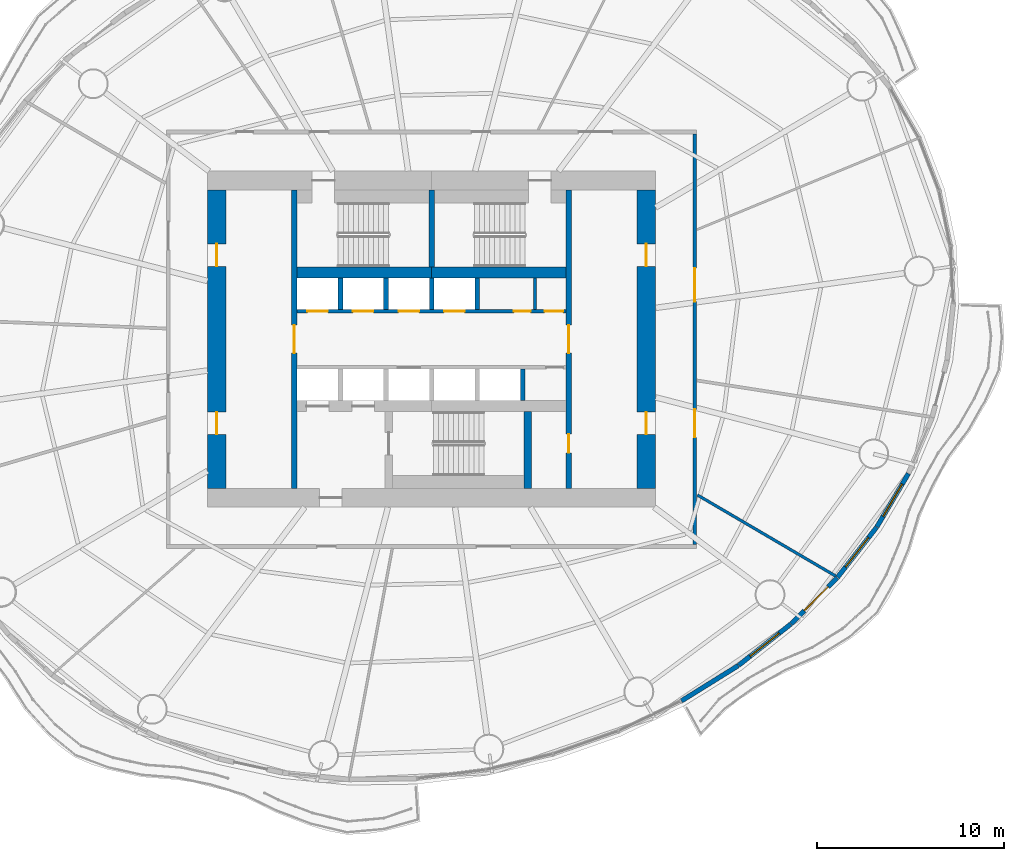
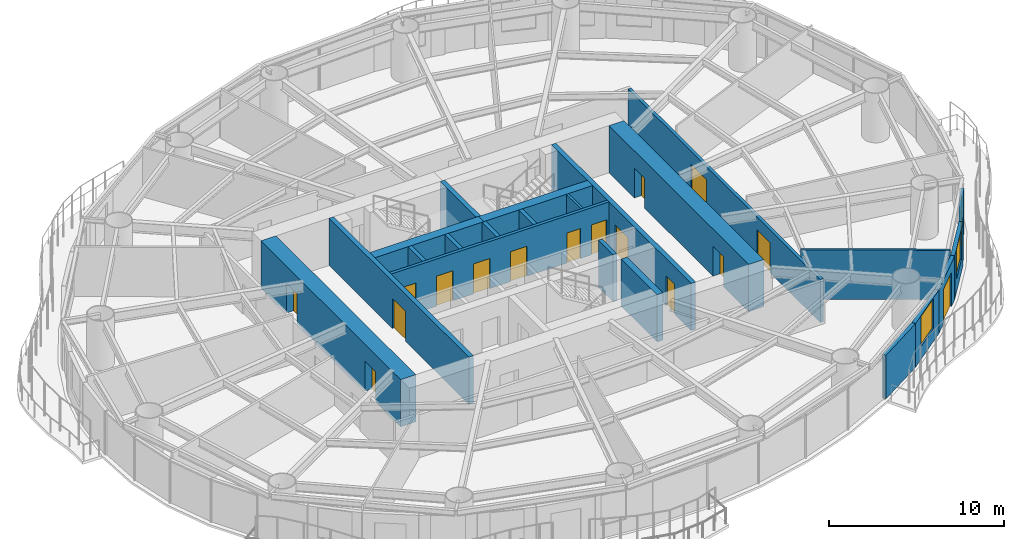
# One storey, part 8 of 16: 22 walls, 16 doors, 3 windows, 19 openings.
"""IFC4 building model written with IfcOpenShell, lengths in metres."""

import ifcopenshell
import ifcopenshell.guid

model = None  # the IFC model being written
_history = None  # IfcOwnerHistory: only IFC2X3 demands one
_inside = {}  # id of a spatial element -> (the spatial element, [elements in it])
_under = {}  # id of a project, library or spatial element -> (it, [spatial elements below it])
_declared = {}  # id of a project -> (the project, [libraries it declares])
_typed = {}  # id of a type object -> (the type object, [elements of that type])
_made_of = {}  # id of a material, layer set ... -> (it, [elements and type objects made of it])


def new_model(schema):
    """Start an empty IFC model of exactly this schema.

    Asked for "IFC4X3", IfcOpenShell would pick the latest addendum, in which some entities
    have other attributes; the version numbers below select the first issue.
    IFC2X3 requires an IfcOwnerHistory on every rooted entity: one is made here for all.
    """
    global model, _history
    if schema == "IFC4X3":
        model = ifcopenshell.file(schema_version=(4, 3, 0, 0))
    else:
        model = ifcopenshell.file(schema=schema)
    _inside.clear()
    _under.clear()
    _declared.clear()
    _typed.clear()
    _made_of.clear()
    _history = None
    if model.schema == "IFC2X3":
        org = make("IfcOrganization", Name="unknown")
        user = make(
            "IfcPersonAndOrganization",
            ThePerson=make("IfcPerson", FamilyName="unknown"),
            TheOrganization=org,
        )
        app = make(
            "IfcApplication",
            ApplicationDeveloper=org,
            Version="unknown",
            ApplicationFullName="unknown",
            ApplicationIdentifier="unknown",
        )
        _history = make(
            "IfcOwnerHistory",
            OwningUser=user,
            OwningApplication=app,
            ChangeAction="ADDED",
            CreationDate=0,
        )
    return model


def make(cls, **values):
    """One entity of the class cls with the attributes given. An attribute that is None is left unset."""
    return model.create_entity(
        cls, **{name: value for name, value in values.items() if value is not None}
    )


def rooted(cls, **values):
    """An entity with a GlobalId (a new one), such as an element, a storey or a relation."""
    return make(cls, GlobalId=ifcopenshell.guid.new(), OwnerHistory=_history, **values)


def si_unit(unit_type, name, prefix=None):
    """IfcSIUnit, for example si_unit("LENGTHUNIT", "METRE", prefix="MILLI")."""
    return make("IfcSIUnit", UnitType=unit_type, Prefix=prefix, Name=name)


def assignment(units):
    """IfcUnitAssignment: the units of a project."""
    return None if units is None else make("IfcUnitAssignment", Units=units)


def point(xyz):
    """IfcCartesianPoint."""
    return None if xyz is None else make("IfcCartesianPoint", Coordinates=xyz)


def direction(xyz):
    """IfcDirection."""
    return None if xyz is None else make("IfcDirection", DirectionRatios=xyz)


def frame(location, z_axis=None, x_axis=None):
    """IfcAxis2Placement3D, a coordinate frame: its origin and axes. An axis left out is left unset."""
    return make(
        "IfcAxis2Placement3D",
        Location=point(location),
        Axis=direction(z_axis),
        RefDirection=direction(x_axis),
    )


def frame_2d(location, x_axis=None):
    """IfcAxis2Placement2D, a coordinate frame in the plane: its origin and x axis."""
    return make(
        "IfcAxis2Placement2D", Location=point(location), RefDirection=direction(x_axis)
    )


def origin():
    """The frame at (0, 0, 0) with its axes left unset."""
    return frame((0.0, 0.0, 0.0))


def place(relative_to, where):
    """IfcLocalPlacement: puts the frame where relative to a parent placement (None: the world)."""
    return make(
        "IfcLocalPlacement", PlacementRelTo=relative_to, RelativePlacement=where
    )


def context(
    kind, dimensions, precision=None, world=None, true_north=None, identifier=None
):
    """IfcGeometricRepresentationContext, for example the 3D "Model" context."""
    return make(
        "IfcGeometricRepresentationContext",
        ContextIdentifier=identifier,
        ContextType=kind,
        CoordinateSpaceDimension=dimensions,
        Precision=precision,
        WorldCoordinateSystem=world,
        TrueNorth=true_north,
    )


def subcontext(parent, identifier, kind, view, scale=None):
    """IfcGeometricRepresentationSubContext, for example "Body" below "Model"."""
    return make(
        "IfcGeometricRepresentationSubContext",
        ContextIdentifier=identifier,
        ContextType=kind,
        ParentContext=parent,
        TargetScale=scale,
        TargetView=view,
    )


def project(units=None, contexts=None):
    """IfcProject with its units and contexts."""
    return rooted(
        "IfcProject",
        Name="project",
        RepresentationContexts=contexts,
        UnitsInContext=assignment(units),
    )


def spatial(cls, under=None, at=None, **own):
    """A site, building, storey or space (cls), placed at a placement, below another one or the project."""
    s = rooted(cls, ObjectPlacement=at, **own)
    if under is not None:
        _under.setdefault(under.id(), (under, []))[1].append(s)
    return s


def profile(cls, at=None, kind="AREA", **sizes):
    """A parametric profile (cls). Its sizes go by their IFC names, for example OverallWidth=200.0."""
    return make(cls, ProfileType=kind, Position=at, **sizes)


def rectangle(**sizes):
    """IfcRectangleProfileDef."""
    return profile("IfcRectangleProfileDef", **sizes)


def extrude(swept, where, along, depth):
    """IfcExtrudedAreaSolid: the profile swept, set in the frame where, extruded along a direction by depth."""
    return make(
        "IfcExtrudedAreaSolid",
        SweptArea=swept,
        Position=where,
        ExtrudedDirection=direction(along),
        Depth=depth,
    )


def shape(context_of_items, identifier, shape_type, items):
    """IfcShapeRepresentation: the items that make up one representation, for example the "Body"."""
    return make(
        "IfcShapeRepresentation",
        ContextOfItems=context_of_items,
        RepresentationIdentifier=identifier,
        RepresentationType=shape_type,
        Items=items,
    )


def material(Name=None, Category=None):
    """IfcMaterial."""
    return make("IfcMaterial", Name=Name, Category=Category)


def layer(
    of_material, thickness, ventilated=None, Name=None, Category=None, Priority=None
):
    """IfcMaterialLayer: one layer of a wall or slab, of a material (None: an air gap)."""
    return make(
        "IfcMaterialLayer",
        Material=of_material,
        LayerThickness=thickness,
        IsVentilated=ventilated,
        Name=Name,
        Category=Category,
        Priority=Priority,
    )


def layer_set(layers, Name=None):
    """IfcMaterialLayerSet."""
    return make("IfcMaterialLayerSet", MaterialLayers=layers, LayerSetName=Name)


def made_of(thing, what):
    """Note that an element or type object is made of a material, layer set ...; save() writes the relation."""
    if what is not None:
        _made_of.setdefault(what.id(), (what, []))[1].append(thing)
    return thing


def type_object(cls, material=None, **own):
    """A type object (cls), such as IfcWallType, which elements share."""
    return made_of(rooted(cls, **own), material)


def element(
    cls,
    number,
    at=None,
    inside=None,
    cuts=None,
    type_object=None,
    material=None,
    context=None,
    identifier="Body",
    shape_type=None,
    held_by="IfcProductDefinitionShape",
    body=None,
    shapes=None,
    **own,
):
    """One element of the class cls, such as IfcWall. Its Tag is "e" and its number.

    at: its placement. inside: the storey or other place that contains it. cuts: it is an
    opening in that element (IfcRelVoidsElement). A single representation is given by context,
    identifier, shape_type and body (its items); several are given by shapes. held_by: the class
    of the entity that holds the representations. save() writes the other relations.
    """
    e = rooted(cls, Tag="e%d" % number, ObjectPlacement=at, **own)
    if body is not None:
        shapes = [shape(context, identifier, shape_type, body)]
    if shapes is not None:
        e.Representation = make(held_by, Representations=shapes)
    if inside is not None:
        _inside.setdefault(inside.id(), (inside, []))[1].append(e)
    if cuts is not None:
        rooted(
            "IfcRelVoidsElement", RelatingBuildingElement=cuts, RelatedOpeningElement=e
        )
    if type_object is not None:
        _typed.setdefault(type_object.id(), (type_object, []))[1].append(e)
    return made_of(e, material)


def fill(opening, filler):
    """IfcRelFillsElement: the door or window that sits in an opening."""
    return rooted(
        "IfcRelFillsElement",
        RelatingOpeningElement=opening,
        RelatedBuildingElement=filler,
    )


def aggregate(whole, parts):
    """IfcRelAggregates: a whole, such as a stair, and the parts it consists of."""
    return rooted("IfcRelAggregates", RelatingObject=whole, RelatedObjects=parts)


def save(model, path):
    """Write the relations noted so far, then the file.

    IfcRelAggregates (storeys below a building ...), IfcRelContainedInSpatialStructure (elements
    in a storey), IfcRelDefinesByType, IfcRelAssociatesMaterial and IfcRelDeclares: one each for
    every whole, place, type object, material and project.
    """
    for whole, parts in _under.values():
        aggregate(whole, parts)
    for where, things in _inside.values():
        rooted(
            "IfcRelContainedInSpatialStructure",
            RelatedElements=things,
            RelatingStructure=where,
        )
    for kind, things in _typed.values():
        rooted("IfcRelDefinesByType", RelatedObjects=things, RelatingType=kind)
    for what, things in _made_of.values():
        rooted("IfcRelAssociatesMaterial", RelatedObjects=things, RelatingMaterial=what)
    for by, libraries in _declared.values():
        rooted("IfcRelDeclares", RelatingContext=by, RelatedDefinitions=libraries)
    model.write(path)


model = new_model("IFC4")

# Units and contexts
model_context = context("Model", 3, precision=1e-05, world=origin(), true_north=direction((0.0, 1.0)))
body_context = subcontext(model_context, "Body", "Model", "MODEL_VIEW")
ifc_project = project(units=[si_unit("LENGTHUNIT", "METRE"), si_unit("AREAUNIT", "SQUARE_METRE"), si_unit("VOLUMEUNIT", "CUBIC_METRE"), si_unit("PLANEANGLEUNIT", "RADIAN"), si_unit("MASSUNIT", "GRAM", prefix="KILO")], contexts=[model_context])

# Site, building, storey
site_placement = place(None, origin())
site = spatial("IfcSite", under=ifc_project, at=site_placement, CompositionType="ELEMENT")
building_placement = place(site_placement, origin())
building = spatial("IfcBuilding", under=site, at=building_placement, Name="Vermilion Reach Broadcast Tower", CompositionType="ELEMENT")
storey_placement = place(building_placement, frame((0.0, 0.0, 99.39990234375)))
storey = spatial("IfcBuildingStorey", under=building, at=storey_placement, Name="L22", CompositionType="ELEMENT", Elevation=99.39990234375)

# Wall, opening, door
ifc_material_1 = material(Name="Concrete C70", Category="concrete")
ifc_layer_1 = layer(ifc_material_1, 0.300048828125)
ifc_layer_set_1 = layer_set([ifc_layer_1], Name="Core inner wall 300 mm Concrete C70")
wall_type_1 = type_object("IfcWallType", Name="Core inner wall 300 mm Concrete C70", PredefinedType="SHEAR", material=ifc_layer_set_1)
wall_1_placement = place(storey_placement, frame((-13.35009765625, 8.0, 0.0), z_axis=(0.0, 0.0, 1.0), x_axis=(0.0, -1.0, 0.0)))
wall_1 = element("IfcWall", 1, at=wall_1_placement, inside=storey, type_object=wall_type_1, Name="L22 core wall ewW", PredefinedType="SHEAR", context=body_context, shape_type="SweptSolid", body=[
    extrude(rectangle(XDim=16.0, YDim=0.300048828125, at=frame_2d((8.0, 0.0))), origin(), (0.0, 0.0, 1.0), 3.300048828125),
])
opening_1_placement = place(wall_1_placement, frame((7.25, 0.0, 0.0)))
opening_1 = element("IfcOpeningElement", 2, at=opening_1_placement, cuts=wall_1, Name="Opening D04", PredefinedType="OPENING", context=body_context, shape_type="SweptSolid", body=[
    extrude(rectangle(XDim=1.5, YDim=2.10009765625, at=frame_2d((0.75, 1.050048828125))), frame((0.0, 0.159912109375, 0.0), z_axis=(0.0, -1.0, 0.0), x_axis=(1.0, 0.0, 0.0)), (0.0, 0.0, 1.0), 0.320068359375),
])
ifc_material_2 = material(Name="Painted steel fire door", Category="steel")
door_type_1 = type_object("IfcDoorType", Name="Lift lobby door 1500 x 2100", OperationType="DOUBLE_DOOR_SINGLE_SWING", PredefinedType="NOTDEFINED", material=ifc_material_2)
door_1_placement = place(opening_1_placement, origin())
door_1 = element("IfcDoor", 3, at=door_1_placement, inside=storey, type_object=door_type_1, Name="L22 band door BW", OperationType="DOUBLE_DOOR_SINGLE_SWING", OverallHeight=2.10009765625, OverallWidth=1.5, PredefinedType="NOTDEFINED", context=body_context, shape_type="SweptSolid", body=[
    extrude(rectangle(XDim=1.5, YDim=2.10009765625, at=frame_2d((0.75, 1.050048828125))), frame((0.0, 0.02490234375, 0.0), z_axis=(0.0, -1.0, 0.0), x_axis=(1.0, 0.0, 0.0)), (0.0, 0.0, 1.0), 0.050048828125),
])
fill(opening_1, door_1)

# Wall, openings, doors
wall_2_placement = place(storey_placement, frame((1.35009765625, -8.0, 0.0), z_axis=(0.0, 0.0, 1.0), x_axis=(0.0, 1.0, 0.0)))
wall_2 = element("IfcWall", 4, at=wall_2_placement, inside=storey, type_object=wall_type_1, Name="L22 core wall ewE", PredefinedType="SHEAR", context=body_context, shape_type="SweptSolid", body=[
    extrude(rectangle(XDim=16.0, YDim=0.300048828125, at=frame_2d((8.0, 0.0))), origin(), (0.0, 0.0, 1.0), 3.300048828125),
])
opening_2_placement = place(wall_2_placement, frame((1.909912109375, 0.0, 0.0)))
opening_2 = element("IfcOpeningElement", 5, at=opening_2_placement, cuts=wall_2, Name="Opening D05", PredefinedType="OPENING", context=body_context, shape_type="SweptSolid", body=[
    extrude(rectangle(XDim=1.0, YDim=2.10009765625, at=frame_2d((0.5, 1.050048828125))), frame((0.0, 0.159912109375, 0.0), z_axis=(0.0, -1.0, 0.0), x_axis=(1.0, 0.0, 0.0)), (0.0, 0.0, 1.0), 0.320068359375),
])
opening_3_placement = place(wall_2_placement, frame((7.25, 0.0, 0.0)))
opening_3 = element("IfcOpeningElement", 6, at=opening_3_placement, cuts=wall_2, Name="Opening D04", PredefinedType="OPENING", context=body_context, shape_type="SweptSolid", body=[
    extrude(rectangle(XDim=1.5, YDim=2.10009765625, at=frame_2d((0.75, 1.050048828125))), frame((0.0, 0.159912109375, 0.0), z_axis=(0.0, -1.0, 0.0), x_axis=(1.0, 0.0, 0.0)), (0.0, 0.0, 1.0), 0.320068359375),
])
door_2_placement = place(opening_3_placement, origin())
door_2 = element("IfcDoor", 7, at=door_2_placement, inside=storey, type_object=door_type_1, Name="L22 band door BE", OperationType="DOUBLE_DOOR_SINGLE_SWING", OverallHeight=2.10009765625, OverallWidth=1.5, PredefinedType="NOTDEFINED", context=body_context, shape_type="SweptSolid", body=[
    extrude(rectangle(XDim=1.5, YDim=2.10009765625, at=frame_2d((0.75, 1.050048828125))), frame((0.0, 0.02490234375, 0.0), z_axis=(0.0, -1.0, 0.0), x_axis=(1.0, 0.0, 0.0)), (0.0, 0.0, 1.0), 0.050048828125),
])
fill(opening_3, door_2)
ifc_material_3 = material(Name="Timber door", Category="wood")
door_type_2 = type_object("IfcDoorType", Name="Room door 1000 x 2100", OperationType="NOTDEFINED", PredefinedType="NOTDEFINED", material=ifc_material_3)
door_3_placement = place(opening_2_placement, origin())
door_3 = element("IfcDoor", 8, at=door_3_placement, inside=storey, type_object=door_type_2, Name="L22 door SER", OperationType="SINGLE_SWING_LEFT", OverallHeight=2.10009765625, OverallWidth=1.0, PredefinedType="NOTDEFINED", context=body_context, shape_type="SweptSolid", body=[
    extrude(rectangle(XDim=1.0, YDim=2.10009765625, at=frame_2d((0.5, 1.050048828125))), frame((0.0, 0.02490234375, 0.0), z_axis=(0.0, -1.0, 0.0), x_axis=(1.0, 0.0, 0.0)), (0.0, 0.0, 1.0), 0.050048828125),
])
fill(opening_2, door_3)

# Walls
wall_3_placement = place(storey_placement, frame((-6.0, 3.8798828125, 0.0), z_axis=(0.0, 0.0, 1.0), x_axis=(0.0, 1.0, 0.0)))
element("IfcWall", 9, at=wall_3_placement, inside=storey, type_object=wall_type_1, Name="L22 core wall wc", PredefinedType="SHEAR", context=body_context, shape_type="SweptSolid", body=[
    extrude(rectangle(XDim=4.1201171875, YDim=0.300048828125, at=frame_2d((2.06005859375, 0.0))), origin(), (0.0, 0.0, 1.0), 3.300048828125),
])
ifc_material_4 = material(Name="Concrete C70", Category="concrete")
ifc_layer_2 = layer(ifc_material_4, 0.39990234375)
ifc_layer_set_2 = layer_set([ifc_layer_2], Name="Core inner wall 400 mm Concrete C70")
wall_type_2 = type_object("IfcWallType", Name="Core inner wall 400 mm Concrete C70", PredefinedType="SHEAR", material=ifc_layer_set_2)
wall_4_placement = place(storey_placement, frame((-0.85009765625, -3.8798828125, 0.0), z_axis=(0.0, 0.0, 1.0), x_axis=(0.0, -1.0, 0.0)))
element("IfcWall", 10, at=wall_4_placement, inside=storey, type_object=wall_type_2, Name="L22 core wall wb", PredefinedType="SHEAR", context=body_context, shape_type="SweptSolid", body=[
    extrude(rectangle(XDim=4.1201171875, YDim=0.39990234375, at=frame_2d((2.06005859375, 0.0))), origin(), (0.0, 0.0, 1.0), 3.300048828125),
])
ifc_material_5 = material(Name="Concrete C70", Category="concrete")
ifc_layer_3 = layer(ifc_material_5, 0.60009765625)
ifc_layer_set_3 = layer_set([ifc_layer_3], Name="Core inner wall 600 mm Concrete C70")
wall_type_3 = type_object("IfcWallType", Name="Core inner wall 600 mm Concrete C70", PredefinedType="SHEAR", material=ifc_layer_set_3)
for number, where, z_axis, x_axis, name in (
    (11, (-13.199951171875, 3.580078125, 0.0), (0.0, 0.0, 1.0), (1.0, 0.0, 0.0), "L22 core wall winW"),
    (12, (-6.0, 3.580078125, 0.0), (0.0, 0.0, 1.0), (1.0, 0.0, 0.0), "L22 core wall winE"),
):
    element("IfcWall", number, at=place(storey_placement, frame(where, z_axis=z_axis, x_axis=x_axis)), inside=storey, type_object=wall_type_3, Name=name, PredefinedType="SHEAR", context=body_context, shape_type="SweptSolid", body=[
        extrude(rectangle(XDim=7.199951171875, YDim=0.60009765625, at=frame_2d((3.60009765625, 0.0))), origin(), (0.0, 0.0, 1.0), 3.300048828125),
    ])

# Wall, openings, doors
ifc_material_6 = material(Name="Concrete C70", Category="concrete")
ifc_layer_4 = layer(ifc_material_6, 1.0)
ifc_layer_set_4 = layer_set([ifc_layer_4], Name="Core outer wall 1000 mm Concrete C70")
wall_type_4 = type_object("IfcWallType", Name="Core outer wall 1000 mm Concrete C70", PredefinedType="SHEAR", material=ifc_layer_set_4)
wall_5_placement = place(storey_placement, frame((-17.5, 8.0, 0.0), z_axis=(0.0, 0.0, 1.0), x_axis=(0.0, -1.0, 0.0)))
wall_5 = element("IfcWall", 13, at=wall_5_placement, inside=storey, type_object=wall_type_4, Name="L22 core wall ow", PredefinedType="SHEAR", context=body_context, shape_type="SweptSolid", body=[
    extrude(rectangle(XDim=16.0, YDim=1.0, at=frame_2d((8.0, 0.0))), origin(), (0.0, 0.0, 1.0), 3.300048828125),
])
opening_4_placement = place(wall_5_placement, frame((11.89990234375, 0.0, 0.0)))
opening_4 = element("IfcOpeningElement", 14, at=opening_4_placement, cuts=wall_5, Name="Opening D03", PredefinedType="OPENING", context=body_context, shape_type="SweptSolid", body=[
    extrude(rectangle(XDim=1.199951171875, YDim=2.10009765625, at=frame_2d((0.60009765625, 1.050048828125))), frame((0.0, 0.510009765625, 0.0), z_axis=(0.0, -1.0, 0.0), x_axis=(1.0, 0.0, 0.0)), (0.0, 0.0, 1.0), 1.02001953125),
])
opening_5_placement = place(wall_5_placement, frame((2.89990234375, 0.0, 0.0)))
opening_5 = element("IfcOpeningElement", 15, at=opening_5_placement, cuts=wall_5, Name="Opening D03", PredefinedType="OPENING", context=body_context, shape_type="SweptSolid", body=[
    extrude(rectangle(XDim=1.199951171875, YDim=2.10009765625, at=frame_2d((0.60009765625, 1.050048828125))), frame((0.0, 0.510009765625, 0.0), z_axis=(0.0, -1.0, 0.0), x_axis=(1.0, 0.0, 0.0)), (0.0, 0.0, 1.0), 1.02001953125),
])
ifc_material_7 = material(Name="Painted steel fire door", Category="steel")
door_type_3 = type_object("IfcDoorType", Name="Core lobby door 1200 x 2100", OperationType="DOUBLE_DOOR_SINGLE_SWING", PredefinedType="NOTDEFINED", material=ifc_material_7)
door_4_placement = place(opening_4_placement, origin())
door_4 = element("IfcDoor", 16, at=door_4_placement, inside=storey, type_object=door_type_3, Name="L22 slot door W0", OperationType="DOUBLE_DOOR_SINGLE_SWING", OverallHeight=2.10009765625, OverallWidth=1.199951171875, PredefinedType="NOTDEFINED", context=body_context, shape_type="SweptSolid", body=[
    extrude(rectangle(XDim=1.199951171875, YDim=2.10009765625, at=frame_2d((0.60009765625, 1.050048828125))), frame((0.0, 0.02490234375, 0.0), z_axis=(0.0, -1.0, 0.0), x_axis=(1.0, 0.0, 0.0)), (0.0, 0.0, 1.0), 0.050048828125),
])
fill(opening_4, door_4)
door_5_placement = place(opening_5_placement, origin())
door_5 = element("IfcDoor", 17, at=door_5_placement, inside=storey, type_object=door_type_3, Name="L22 slot door W1", OperationType="DOUBLE_DOOR_SINGLE_SWING", OverallHeight=2.10009765625, OverallWidth=1.199951171875, PredefinedType="NOTDEFINED", context=body_context, shape_type="SweptSolid", body=[
    extrude(rectangle(XDim=1.199951171875, YDim=2.10009765625, at=frame_2d((0.60009765625, 1.050048828125))), frame((0.0, 0.02490234375, 0.0), z_axis=(0.0, -1.0, 0.0), x_axis=(1.0, 0.0, 0.0)), (0.0, 0.0, 1.0), 0.050048828125),
])
fill(opening_5, door_5)

wall_6_placement = place(storey_placement, frame((5.5, -8.0, 0.0), z_axis=(0.0, 0.0, 1.0), x_axis=(0.0, 1.0, 0.0)))
wall_6 = element("IfcWall", 18, at=wall_6_placement, inside=storey, type_object=wall_type_4, Name="L22 core wall oe", PredefinedType="SHEAR", context=body_context, shape_type="SweptSolid", body=[
    extrude(rectangle(XDim=16.0, YDim=1.0, at=frame_2d((8.0, 0.0))), origin(), (0.0, 0.0, 1.0), 3.300048828125),
])
opening_6_placement = place(wall_6_placement, frame((2.89990234375, 0.0, 0.0)))
opening_6 = element("IfcOpeningElement", 19, at=opening_6_placement, cuts=wall_6, Name="Opening D03", PredefinedType="OPENING", context=body_context, shape_type="SweptSolid", body=[
    extrude(rectangle(XDim=1.199951171875, YDim=2.10009765625, at=frame_2d((0.60009765625, 1.050048828125))), frame((0.0, 0.510009765625, 0.0), z_axis=(0.0, -1.0, 0.0), x_axis=(1.0, 0.0, 0.0)), (0.0, 0.0, 1.0), 1.02001953125),
])
opening_7_placement = place(wall_6_placement, frame((11.89990234375, 0.0, 0.0)))
opening_7 = element("IfcOpeningElement", 20, at=opening_7_placement, cuts=wall_6, Name="Opening D03", PredefinedType="OPENING", context=body_context, shape_type="SweptSolid", body=[
    extrude(rectangle(XDim=1.199951171875, YDim=2.10009765625, at=frame_2d((0.60009765625, 1.050048828125))), frame((0.0, 0.510009765625, 0.0), z_axis=(0.0, -1.0, 0.0), x_axis=(1.0, 0.0, 0.0)), (0.0, 0.0, 1.0), 1.02001953125),
])
door_6_placement = place(opening_6_placement, origin())
door_6 = element("IfcDoor", 21, at=door_6_placement, inside=storey, type_object=door_type_3, Name="L22 slot door E0", OperationType="DOUBLE_DOOR_SINGLE_SWING", OverallHeight=2.10009765625, OverallWidth=1.199951171875, PredefinedType="NOTDEFINED", context=body_context, shape_type="SweptSolid", body=[
    extrude(rectangle(XDim=1.199951171875, YDim=2.10009765625, at=frame_2d((0.60009765625, 1.050048828125))), frame((0.0, 0.02490234375, 0.0), z_axis=(0.0, -1.0, 0.0), x_axis=(1.0, 0.0, 0.0)), (0.0, 0.0, 1.0), 0.050048828125),
])
fill(opening_6, door_6)
door_7_placement = place(opening_7_placement, origin())
door_7 = element("IfcDoor", 22, at=door_7_placement, inside=storey, type_object=door_type_3, Name="L22 slot door E1", OperationType="DOUBLE_DOOR_SINGLE_SWING", OverallHeight=2.10009765625, OverallWidth=1.199951171875, PredefinedType="NOTDEFINED", context=body_context, shape_type="SweptSolid", body=[
    extrude(rectangle(XDim=1.199951171875, YDim=2.10009765625, at=frame_2d((0.60009765625, 1.050048828125))), frame((0.0, 0.02490234375, 0.0), z_axis=(0.0, -1.0, 0.0), x_axis=(1.0, 0.0, 0.0)), (0.0, 0.0, 1.0), 0.050048828125),
])
fill(opening_7, door_7)

# Wall
ifc_material_8 = material(Name="Masonry block", Category="masonry")
ifc_layer_5 = layer(ifc_material_8, 0.14990234375)
ifc_layer_set_5 = layer_set([ifc_layer_5], Name="Core partition wall 150 mm Masonry block")
wall_type_5 = type_object("IfcWallType", Name="Core partition wall 150 mm Masonry block", PredefinedType="PARTITIONING", material=ifc_layer_set_5)
wall_7_placement = place(storey_placement, frame((-0.468017578125, 1.60009765625, 0.0), z_axis=(0.0, 0.0, 1.0), x_axis=(0.0, 1.0, 0.0)))
element("IfcWall", 23, at=wall_7_placement, inside=storey, type_object=wall_type_5, Name="L22 core wall prN5532", PredefinedType="PARTITIONING", context=body_context, shape_type="SweptSolid", body=[
    extrude(rectangle(XDim=1.679931640625, YDim=0.14990234375, at=frame_2d((0.83984375, 0.0))), origin(), (0.0, 0.0, 1.0), 3.300048828125),
])

# Wall, openings, doors
ifc_material_9 = material(Name="Concrete C50", Category="concrete")
ifc_layer_6 = layer(ifc_material_9, 0.199951171875)
ifc_layer_set_6 = layer_set([ifc_layer_6], Name="Core shaft wall 200 mm Concrete C50")
wall_type_6 = type_object("IfcWallType", Name="Core shaft wall 200 mm Concrete C50", PredefinedType="SHEAR", material=ifc_layer_set_6)
wall_8_placement = place(storey_placement, frame((-13.199951171875, 1.5, 0.0), z_axis=(0.0, 0.0, 1.0), x_axis=(1.0, 0.0, 0.0)))
wall_8 = element("IfcWall", 24, at=wall_8_placement, inside=storey, type_object=wall_type_6, Name="L22 core wall fn", PredefinedType="SHEAR", context=body_context, shape_type="SweptSolid", body=[
    extrude(rectangle(XDim=14.39990234375, YDim=0.199951171875, at=frame_2d((7.199951171875, 0.0))), origin(), (0.0, 0.0, 1.0), 3.300048828125),
])
opening_8_placement = place(wall_8_placement, frame((0.5458984375, 0.0, 0.0)))
opening_8 = element("IfcOpeningElement", 25, at=opening_8_placement, cuts=wall_8, Name="Opening LD2", PredefinedType="OPENING", context=body_context, shape_type="SweptSolid", body=[
    extrude(rectangle(XDim=1.10009765625, YDim=2.10009765625, at=frame_2d((0.550048828125, 1.050048828125))), frame((0.0, 0.10986328125, 0.0), z_axis=(0.0, -1.0, 0.0), x_axis=(1.0, 0.0, 0.0)), (0.0, 0.0, 1.0), 0.219970703125),
])
opening_9_placement = place(wall_8_placement, frame((2.987548828125, 0.0, 0.0)))
opening_9 = element("IfcOpeningElement", 26, at=opening_9_placement, cuts=wall_8, Name="Opening LD2", PredefinedType="OPENING", context=body_context, shape_type="SweptSolid", body=[
    extrude(rectangle(XDim=1.10009765625, YDim=2.10009765625, at=frame_2d((0.550048828125, 1.050048828125))), frame((0.0, 0.10986328125, 0.0), z_axis=(0.0, -1.0, 0.0), x_axis=(1.0, 0.0, 0.0)), (0.0, 0.0, 1.0), 0.219970703125),
])
opening_10_placement = place(wall_8_placement, frame((5.42919921875, 0.0, 0.0)))
opening_10 = element("IfcOpeningElement", 27, at=opening_10_placement, cuts=wall_8, Name="Opening LD2", PredefinedType="OPENING", context=body_context, shape_type="SweptSolid", body=[
    extrude(rectangle(XDim=1.10009765625, YDim=2.10009765625, at=frame_2d((0.550048828125, 1.050048828125))), frame((0.0, 0.10986328125, 0.0), z_axis=(0.0, -1.0, 0.0), x_axis=(1.0, 0.0, 0.0)), (0.0, 0.0, 1.0), 0.219970703125),
])
opening_11_placement = place(wall_8_placement, frame((7.870849609375, 0.0, 0.0)))
opening_11 = element("IfcOpeningElement", 28, at=opening_11_placement, cuts=wall_8, Name="Opening LD2", PredefinedType="OPENING", context=body_context, shape_type="SweptSolid", body=[
    extrude(rectangle(XDim=1.10009765625, YDim=2.10009765625, at=frame_2d((0.550048828125, 1.050048828125))), frame((0.0, 0.10986328125, 0.0), z_axis=(0.0, -1.0, 0.0), x_axis=(1.0, 0.0, 0.0)), (0.0, 0.0, 1.0), 0.219970703125),
])
opening_12_placement = place(wall_8_placement, frame((11.60693359375, 0.0, 0.0)))
opening_12 = element("IfcOpeningElement", 29, at=opening_12_placement, cuts=wall_8, Name="Opening D06", PredefinedType="OPENING", context=body_context, shape_type="SweptSolid", body=[
    extrude(rectangle(XDim=0.89990234375, YDim=2.10009765625, at=frame_2d((0.449951171875, 1.050048828125))), frame((0.0, 0.10986328125, 0.0), z_axis=(0.0, -1.0, 0.0), x_axis=(1.0, 0.0, 0.0)), (0.0, 0.0, 1.0), 0.219970703125),
])
opening_13_placement = place(wall_8_placement, frame((13.25, 0.0, 0.0)))
opening_13 = element("IfcOpeningElement", 30, at=opening_13_placement, cuts=wall_8, Name="Opening D07", PredefinedType="OPENING", context=body_context, shape_type="SweptSolid", body=[
    extrude(rectangle(XDim=1.0, YDim=2.10009765625, at=frame_2d((0.5, 1.050048828125))), frame((0.0, 0.10986328125, 0.0), z_axis=(0.0, -1.0, 0.0), x_axis=(1.0, 0.0, 0.0)), (0.0, 0.0, 1.0), 0.219970703125),
])
ifc_material_10 = material(Name="Timber door", Category="wood")
door_type_4 = type_object("IfcDoorType", Name="Accessible WC door 1000 x 2100", OperationType="NOTDEFINED", PredefinedType="NOTDEFINED", material=ifc_material_10)
door_8_placement = place(opening_13_placement, origin())
door_8 = element("IfcDoor", 31, at=door_8_placement, inside=storey, type_object=door_type_4, Name="L22 door Accessible WC", OperationType="SINGLE_SWING_RIGHT", OverallHeight=2.10009765625, OverallWidth=1.0, PredefinedType="NOTDEFINED", context=body_context, shape_type="SweptSolid", body=[
    extrude(rectangle(XDim=1.0, YDim=2.10009765625, at=frame_2d((0.5, 1.050048828125))), frame((0.0, 0.02490234375, 0.0), z_axis=(0.0, -1.0, 0.0), x_axis=(1.0, 0.0, 0.0)), (0.0, 0.0, 1.0), 0.050048828125),
])
fill(opening_13, door_8)
ifc_material_11 = material(Name="Stainless steel", Category="steel")
door_type_5 = type_object("IfcDoorType", Name="Landing door 1100 x 2100", OperationType="DOUBLE_DOOR_SLIDING", PredefinedType="NOTDEFINED", material=ifc_material_11)
door_9_placement = place(opening_8_placement, origin())
door_9 = element("IfcDoor", 32, at=door_9_placement, inside=storey, type_object=door_type_5, Name="L22 landing door LR1", OperationType="DOUBLE_DOOR_SLIDING", OverallHeight=2.10009765625, OverallWidth=1.10009765625, PredefinedType="NOTDEFINED", context=body_context, shape_type="SweptSolid", body=[
    extrude(rectangle(XDim=1.10009765625, YDim=2.10009765625, at=frame_2d((0.550048828125, 1.050048828125))), frame((0.0, 0.02490234375, 0.0), z_axis=(0.0, -1.0, 0.0), x_axis=(1.0, 0.0, 0.0)), (0.0, 0.0, 1.0), 0.050048828125),
])
fill(opening_8, door_9)
door_10_placement = place(opening_9_placement, origin())
door_10 = element("IfcDoor", 33, at=door_10_placement, inside=storey, type_object=door_type_5, Name="L22 landing door LR2", OperationType="DOUBLE_DOOR_SLIDING", OverallHeight=2.10009765625, OverallWidth=1.10009765625, PredefinedType="NOTDEFINED", context=body_context, shape_type="SweptSolid", body=[
    extrude(rectangle(XDim=1.10009765625, YDim=2.10009765625, at=frame_2d((0.550048828125, 1.050048828125))), frame((0.0, 0.02490234375, 0.0), z_axis=(0.0, -1.0, 0.0), x_axis=(1.0, 0.0, 0.0)), (0.0, 0.0, 1.0), 0.050048828125),
])
fill(opening_9, door_10)
door_11_placement = place(opening_10_placement, origin())
door_11 = element("IfcDoor", 34, at=door_11_placement, inside=storey, type_object=door_type_5, Name="L22 landing door LR3", OperationType="DOUBLE_DOOR_SLIDING", OverallHeight=2.10009765625, OverallWidth=1.10009765625, PredefinedType="NOTDEFINED", context=body_context, shape_type="SweptSolid", body=[
    extrude(rectangle(XDim=1.10009765625, YDim=2.10009765625, at=frame_2d((0.550048828125, 1.050048828125))), frame((0.0, 0.02490234375, 0.0), z_axis=(0.0, -1.0, 0.0), x_axis=(1.0, 0.0, 0.0)), (0.0, 0.0, 1.0), 0.050048828125),
])
fill(opening_10, door_11)
door_12_placement = place(opening_11_placement, origin())
door_12 = element("IfcDoor", 35, at=door_12_placement, inside=storey, type_object=door_type_5, Name="L22 landing door LR4", OperationType="DOUBLE_DOOR_SLIDING", OverallHeight=2.10009765625, OverallWidth=1.10009765625, PredefinedType="NOTDEFINED", context=body_context, shape_type="SweptSolid", body=[
    extrude(rectangle(XDim=1.10009765625, YDim=2.10009765625, at=frame_2d((0.550048828125, 1.050048828125))), frame((0.0, 0.02490234375, 0.0), z_axis=(0.0, -1.0, 0.0), x_axis=(1.0, 0.0, 0.0)), (0.0, 0.0, 1.0), 0.050048828125),
])
fill(opening_11, door_12)
ifc_material_12 = material(Name="Timber door", Category="wood")
door_type_6 = type_object("IfcDoorType", Name="WC door 900 x 2100", OperationType="NOTDEFINED", PredefinedType="NOTDEFINED", material=ifc_material_12)
door_13_placement = place(opening_12_placement, origin())
door_13 = element("IfcDoor", 36, at=door_13_placement, inside=storey, type_object=door_type_6, Name="L22 door Female WC", OperationType="SINGLE_SWING_RIGHT", OverallHeight=2.10009765625, OverallWidth=0.89990234375, PredefinedType="NOTDEFINED", context=body_context, shape_type="SweptSolid", body=[
    extrude(rectangle(XDim=0.89990234375, YDim=2.10009765625, at=frame_2d((0.449951171875, 1.050048828125))), frame((0.0, 0.02490234375, 0.0), z_axis=(0.0, -1.0, 0.0), x_axis=(1.0, 0.0, 0.0)), (0.0, 0.0, 1.0), 0.050048828125),
])
fill(opening_12, door_13)

# Walls
ifc_material_13 = material(Name="Concrete C50", Category="concrete")
ifc_layer_7 = layer(ifc_material_13, 0.25)
ifc_layer_set_7 = layer_set([ifc_layer_7], Name="Core shaft wall 250 mm Concrete C50")
wall_type_7 = type_object("IfcWallType", Name="Core shaft wall 250 mm Concrete C50", PredefinedType="SHEAR", material=ifc_layer_set_7)
for number, where, z_axis, x_axis, name in (
    (37, (-10.88330078125, 1.60009765625, 0.0), (0.0, 0.0, 1.0), (0.0, 1.0, 0.0), "L22 core wall psN0"),
    (38, (-8.441650390625, 1.60009765625, 0.0), (0.0, 0.0, 1.0), (0.0, 1.0, 0.0), "L22 core wall psN1"),
    (39, (-6.0, 1.60009765625, 0.0), (0.0, 0.0, 1.0), (0.0, 1.0, 0.0), "L22 core wall psN2"),
    (40, (-3.558349609375, 1.60009765625, 0.0), (0.0, 0.0, 1.0), (0.0, 1.0, 0.0), "L22 core wall psN3"),
    (41, (-1.11669921875, -1.60009765625, 0.0), (0.0, 0.0, 1.0), (0.0, -1.0, 0.0), "L22 core wall psS4"),
):
    element("IfcWall", number, at=place(storey_placement, frame(where, z_axis=z_axis, x_axis=x_axis)), inside=storey, type_object=wall_type_7, Name=name, PredefinedType="SHEAR", context=body_context, shape_type="SweptSolid", body=[
        extrude(rectangle(XDim=1.679931640625, YDim=0.25, at=frame_2d((0.83984375, 0.0))), origin(), (0.0, 0.0, 1.0), 3.300048828125),
    ])
ifc_material_14 = material(Name="Lightweight concrete block, plastered", Category="concrete")
ifc_layer_8 = layer(ifc_material_14, 0.14990234375)
ifc_layer_set_8 = layer_set([ifc_layer_8], Name="Partition 150 lightweight block")
wall_type_8 = type_object("IfcWallType", Name="Partition 150 lightweight block", PredefinedType="PARTITIONING", material=ifc_layer_set_8)
wall_9_placement = place(storey_placement, frame((15.637451171875, -12.682861328125, 0.0), z_axis=(0.0, 0.0, 1.0), x_axis=(-0.862707391, 0.505703428418, 0.0)))
element("IfcWall", 42, at=wall_9_placement, inside=storey, type_object=wall_type_8, Name="Partition 22.10", PredefinedType="PARTITIONING", context=body_context, shape_type="SweptSolid", body=[
    extrude(rectangle(XDim=8.576904296875, YDim=0.14990234375, at=frame_2d((4.28857421875, 0.0))), origin(), (0.0, 0.0, 1.0), 3.4501953125),
])
ifc_material_15 = material(Name="Terracotta rainscreen cladding", Category="masonry")
ifc_layer_9 = layer(ifc_material_15, 0.25)
ifc_layer_set_9 = layer_set([ifc_layer_9], Name="Terracotta rainscreen wall 250")
wall_type_9 = type_object("IfcWallType", Name="Terracotta rainscreen wall 250", PredefinedType="SOLIDWALL", material=ifc_layer_set_9)
wall_10_placement = place(storey_placement, frame((7.38134765625, -19.372802734375, 0.0), z_axis=(0.0, 0.0, 1.0), x_axis=(0.84929028193, 0.527926147316, 0.0)))
element("IfcWall", 43, at=wall_10_placement, inside=storey, type_object=wall_type_9, Name="External wall L22 38", PredefinedType="SOLIDWALL", context=body_context, shape_type="SweptSolid", body=[
    extrude(rectangle(XDim=3.581298828125, YDim=0.25, at=frame_2d((1.79052734375, 0.0))), origin(), (0.0, 0.0, 1.0), 3.050048828125),
])

# Wall, opening, window
wall_11_placement = place(storey_placement, frame((10.44091796875, -17.469482421875, 0.0), z_axis=(0.0, 0.0, 1.0), x_axis=(0.784542628433, 0.620074885939, 0.0)))
wall_11 = element("IfcWall", 44, at=wall_11_placement, inside=storey, type_object=wall_type_9, Name="External wall L22 39", PredefinedType="SOLIDWALL", context=body_context, shape_type="SweptSolid", body=[
    extrude(rectangle(XDim=3.565673828125, YDim=0.25, at=frame_2d((1.78271484375, 0.0))), origin(), (0.0, 0.0, 1.0), 3.050048828125),
])
opening_14_placement = place(wall_11_placement, frame((0.782958984375, 0.0, 0.89990234375)))
opening_14 = element("IfcOpeningElement", 45, at=opening_14_placement, cuts=wall_11, Name="Opening W03", PredefinedType="OPENING", context=body_context, shape_type="SweptSolid", body=[
    extrude(rectangle(XDim=2.0, YDim=2.10009765625, at=frame_2d((1.0, 1.050048828125))), frame((0.0, 0.135009765625, 0.0), z_axis=(0.0, -1.0, 0.0), x_axis=(1.0, 0.0, 0.0)), (0.0, 0.0, 1.0), 0.27001953125),
])
ifc_material_16 = material(Name="Low-e laminated clear glass in aluminium frame", Category="aluminium")
window_type = type_object("IfcWindowType", Name="Punched window 2000 x 2100 sill 900", PartitioningType="SINGLE_PANEL", PredefinedType="WINDOW", material=ifc_material_16)
window_1_placement = place(opening_14_placement, origin())
window_1 = element("IfcWindow", 46, at=window_1_placement, inside=storey, type_object=window_type, Name="Window L22 39", OverallHeight=2.10009765625, OverallWidth=2.0, PartitioningType="SINGLE_PANEL", PredefinedType="WINDOW", context=body_context, shape_type="SweptSolid", body=[
    extrude(rectangle(XDim=2.0, YDim=2.10009765625, at=frame_2d((1.0, 1.050048828125))), frame((0.0, 0.030029296875, 0.0), z_axis=(0.0, -1.0, 0.0), x_axis=(1.0, 0.0, 0.0)), (0.0, 0.0, 1.0), 0.06005859375),
])
fill(opening_14, window_1)

# Wall, opening, door
wall_12_placement = place(storey_placement, frame((13.255126953125, -15.243408203125, 0.0), z_axis=(0.0, 0.0, 1.0), x_axis=(0.706861980523, 0.70735149713, 0.0)))
wall_12 = element("IfcWall", 47, at=wall_12_placement, inside=storey, type_object=wall_type_9, Name="External wall L22 40", PredefinedType="SOLIDWALL", context=body_context, shape_type="SweptSolid", body=[
    extrude(rectangle(XDim=3.4912109375, YDim=0.25, at=frame_2d((1.74560546875, 0.0))), origin(), (0.0, 0.0, 1.0), 3.050048828125),
])
opening_15_placement = place(wall_12_placement, frame((0.99609375, 0.0, 0.0)))
opening_15 = element("IfcOpeningElement", 48, at=opening_15_placement, cuts=wall_12, Name="Opening D70", PredefinedType="OPENING", context=body_context, shape_type="SweptSolid", body=[
    extrude(rectangle(XDim=1.800048828125, YDim=2.39990234375, at=frame_2d((0.89990234375, 1.199951171875))), frame((0.0, 0.135009765625, 0.0), z_axis=(0.0, -1.0, 0.0), x_axis=(1.0, 0.0, 0.0)), (0.0, 0.0, 1.0), 0.27001953125),
])
ifc_material_17 = material(Name="Low-e laminated clear glass in aluminium frame", Category="aluminium")
door_type_7 = type_object("IfcDoorType", Name="Balcony sliding door 1800 x 2400", OperationType="DOUBLE_DOOR_SLIDING", PredefinedType="DOOR", material=ifc_material_17)
door_14_placement = place(opening_15_placement, origin())
door_14 = element("IfcDoor", 49, at=door_14_placement, inside=storey, type_object=door_type_7, Name="Balcony door L22 run 10", OperationType="DOUBLE_DOOR_SLIDING", OverallHeight=2.39990234375, OverallWidth=1.800048828125, PredefinedType="DOOR", context=body_context, shape_type="SweptSolid", body=[
    extrude(rectangle(XDim=1.800048828125, YDim=2.39990234375, at=frame_2d((0.89990234375, 1.199951171875))), frame((0.0, 0.02490234375, 0.0), z_axis=(0.0, -1.0, 0.0), x_axis=(1.0, 0.0, 0.0)), (0.0, 0.0, 1.0), 0.050048828125),
])
fill(opening_15, door_14)

# Wall, opening, window
wall_13_placement = place(storey_placement, frame((15.73828125, -12.756591796875, 0.0), z_axis=(0.0, 0.0, 1.0), x_axis=(0.615358853005, 0.788247094525, 0.0)))
wall_13 = element("IfcWall", 50, at=wall_13_placement, inside=storey, type_object=wall_type_9, Name="External wall L22 41", PredefinedType="SOLIDWALL", context=body_context, shape_type="SweptSolid", body=[
    extrude(rectangle(XDim=3.406005859375, YDim=0.25, at=frame_2d((1.703125, 0.0))), origin(), (0.0, 0.0, 1.0), 3.050048828125),
])
opening_16_placement = place(wall_13_placement, frame((0.702880859375, 0.0, 0.89990234375)))
opening_16 = element("IfcOpeningElement", 51, at=opening_16_placement, cuts=wall_13, Name="Opening W03", PredefinedType="OPENING", context=body_context, shape_type="SweptSolid", body=[
    extrude(rectangle(XDim=2.0, YDim=2.10009765625, at=frame_2d((1.0, 1.050048828125))), frame((0.0, 0.135009765625, 0.0), z_axis=(0.0, -1.0, 0.0), x_axis=(1.0, 0.0, 0.0)), (0.0, 0.0, 1.0), 0.27001953125),
])
window_2_placement = place(opening_16_placement, origin())
window_2 = element("IfcWindow", 52, at=window_2_placement, inside=storey, type_object=window_type, Name="Window L22 41", OverallHeight=2.10009765625, OverallWidth=2.0, PartitioningType="SINGLE_PANEL", PredefinedType="WINDOW", context=body_context, shape_type="SweptSolid", body=[
    extrude(rectangle(XDim=2.0, YDim=2.10009765625, at=frame_2d((1.0, 1.050048828125))), frame((0.0, 0.030029296875, 0.0), z_axis=(0.0, -1.0, 0.0), x_axis=(1.0, 0.0, 0.0)), (0.0, 0.0, 1.0), 0.06005859375),
])
fill(opening_16, window_2)

wall_14_placement = place(storey_placement, frame((17.84765625, -10.052001953125, 0.0), z_axis=(0.0, 0.0, 1.0), x_axis=(0.509364300132, 0.860550991953, 0.0)))
wall_14 = element("IfcWall", 53, at=wall_14_placement, inside=storey, type_object=wall_type_9, Name="External wall L22 42", PredefinedType="SOLIDWALL", context=body_context, shape_type="SweptSolid", body=[
    extrude(rectangle(XDim=3.3154296875, YDim=0.25, at=frame_2d((1.65771484375, 0.0))), origin(), (0.0, 0.0, 1.0), 3.050048828125),
])
opening_17_placement = place(wall_14_placement, frame((0.65771484375, 0.0, 0.89990234375)))
opening_17 = element("IfcOpeningElement", 54, at=opening_17_placement, cuts=wall_14, Name="Opening W03", PredefinedType="OPENING", context=body_context, shape_type="SweptSolid", body=[
    extrude(rectangle(XDim=2.0, YDim=2.10009765625, at=frame_2d((1.0, 1.050048828125))), frame((0.0, 0.135009765625, 0.0), z_axis=(0.0, -1.0, 0.0), x_axis=(1.0, 0.0, 0.0)), (0.0, 0.0, 1.0), 0.27001953125),
])
window_3_placement = place(opening_17_placement, origin())
window_3 = element("IfcWindow", 55, at=window_3_placement, inside=storey, type_object=window_type, Name="Window L22 42", OverallHeight=2.10009765625, OverallWidth=2.0, PartitioningType="SINGLE_PANEL", PredefinedType="WINDOW", context=body_context, shape_type="SweptSolid", body=[
    extrude(rectangle(XDim=2.0, YDim=2.10009765625, at=frame_2d((1.0, 1.050048828125))), frame((0.0, 0.030029296875, 0.0), z_axis=(0.0, -1.0, 0.0), x_axis=(1.0, 0.0, 0.0)), (0.0, 0.0, 1.0), 0.06005859375),
])
fill(opening_17, window_3)

# Wall, openings, doors
ifc_material_18 = material(Name="Fire-rated gypsum board partition")
ifc_layer_10 = layer(ifc_material_18, 0.199951171875)
ifc_layer_set_10 = layer_set([ifc_layer_10], Name="Under girder: Corridor wall 200 fire-rated")
wall_type_10 = type_object("IfcWallType", Name="Under girder: Corridor wall 200 fire-rated", PredefinedType="PARTITIONING", material=ifc_layer_set_10)
wall_15_placement = place(storey_placement, frame((8.10009765625, 11.0, 0.0), z_axis=(0.0, 0.0, 1.0), x_axis=(0.0, -1.0, 0.0)))
wall_15 = element("IfcWall", 56, at=wall_15_placement, inside=storey, type_object=wall_type_10, Name="Corridor wall 22.E", PredefinedType="PARTITIONING", context=body_context, shape_type="SweptSolid", body=[
    extrude(rectangle(XDim=22.0, YDim=0.199951171875, at=frame_2d((11.0, 0.0))), origin(), (0.0, 0.0, 1.0), 3.0),
])
opening_18_placement = place(wall_15_placement, frame((14.763671875, 0.0, 0.0)))
opening_18 = element("IfcOpeningElement", 57, at=opening_18_placement, cuts=wall_15, Name="Opening D24", PredefinedType="OPENING", context=body_context, shape_type="SweptSolid", body=[
    extrude(rectangle(XDim=1.5, YDim=2.10009765625, at=frame_2d((0.75, 1.050048828125))), frame((0.0, 0.10986328125, 0.0), z_axis=(0.0, -1.0, 0.0), x_axis=(1.0, 0.0, 0.0)), (0.0, 0.0, 1.0), 0.219970703125),
])
opening_19_placement = place(wall_15_placement, frame((7.189453125, 0.0, 0.0)))
opening_19 = element("IfcOpeningElement", 58, at=opening_19_placement, cuts=wall_15, Name="Opening D21", PredefinedType="OPENING", context=body_context, shape_type="SweptSolid", body=[
    extrude(rectangle(XDim=1.800048828125, YDim=2.10009765625, at=frame_2d((0.89990234375, 1.050048828125))), frame((0.0, 0.10986328125, 0.0), z_axis=(0.0, -1.0, 0.0), x_axis=(1.0, 0.0, 0.0)), (0.0, 0.0, 1.0), 0.219970703125),
])
ifc_material_19 = material(Name="Timber door leaf", Category="wood")
door_type_8 = type_object("IfcDoorType", Name="Door pair 1500x2100", OperationType="NOTDEFINED", PredefinedType="DOOR", material=ifc_material_19)
door_15_placement = place(opening_18_placement, origin())
door_15 = element("IfcDoor", 59, at=door_15_placement, inside=storey, type_object=door_type_8, Name="Door 22.10", OperationType="DOUBLE_DOOR_SINGLE_SWING", OverallHeight=2.10009765625, OverallWidth=1.5, PredefinedType="DOOR", context=body_context, shape_type="SweptSolid", body=[
    extrude(rectangle(XDim=1.5, YDim=2.10009765625, at=frame_2d((0.75, 1.050048828125))), frame((0.0, 0.02490234375, 0.0), z_axis=(0.0, -1.0, 0.0), x_axis=(1.0, 0.0, 0.0)), (0.0, 0.0, 1.0), 0.050048828125),
])
fill(opening_18, door_15)
ifc_material_20 = material(Name="Timber door leaf", Category="wood")
door_type_9 = type_object("IfcDoorType", Name="Door pair 1800x2100", OperationType="NOTDEFINED", PredefinedType="DOOR", material=ifc_material_20)
door_16_placement = place(opening_19_placement, origin())
door_16 = element("IfcDoor", 60, at=door_16_placement, inside=storey, type_object=door_type_9, Name="Door 22.11", OperationType="DOUBLE_DOOR_SINGLE_SWING", OverallHeight=2.10009765625, OverallWidth=1.800048828125, PredefinedType="DOOR", context=body_context, shape_type="SweptSolid", body=[
    extrude(rectangle(XDim=1.800048828125, YDim=2.10009765625, at=frame_2d((0.89990234375, 1.050048828125))), frame((0.0, 0.02490234375, 0.0), z_axis=(0.0, -1.0, 0.0), x_axis=(1.0, 0.0, 0.0)), (0.0, 0.0, 1.0), 0.050048828125),
])
fill(opening_19, door_16)

save(model, "model.ifc")
